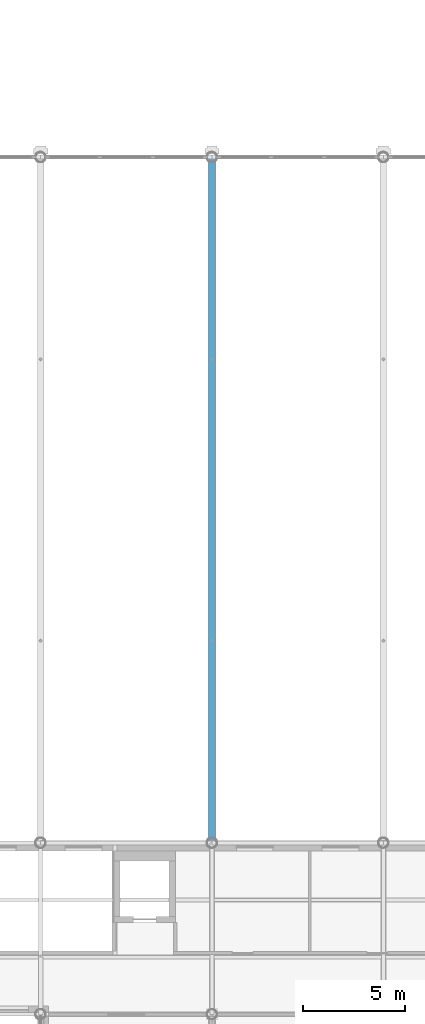
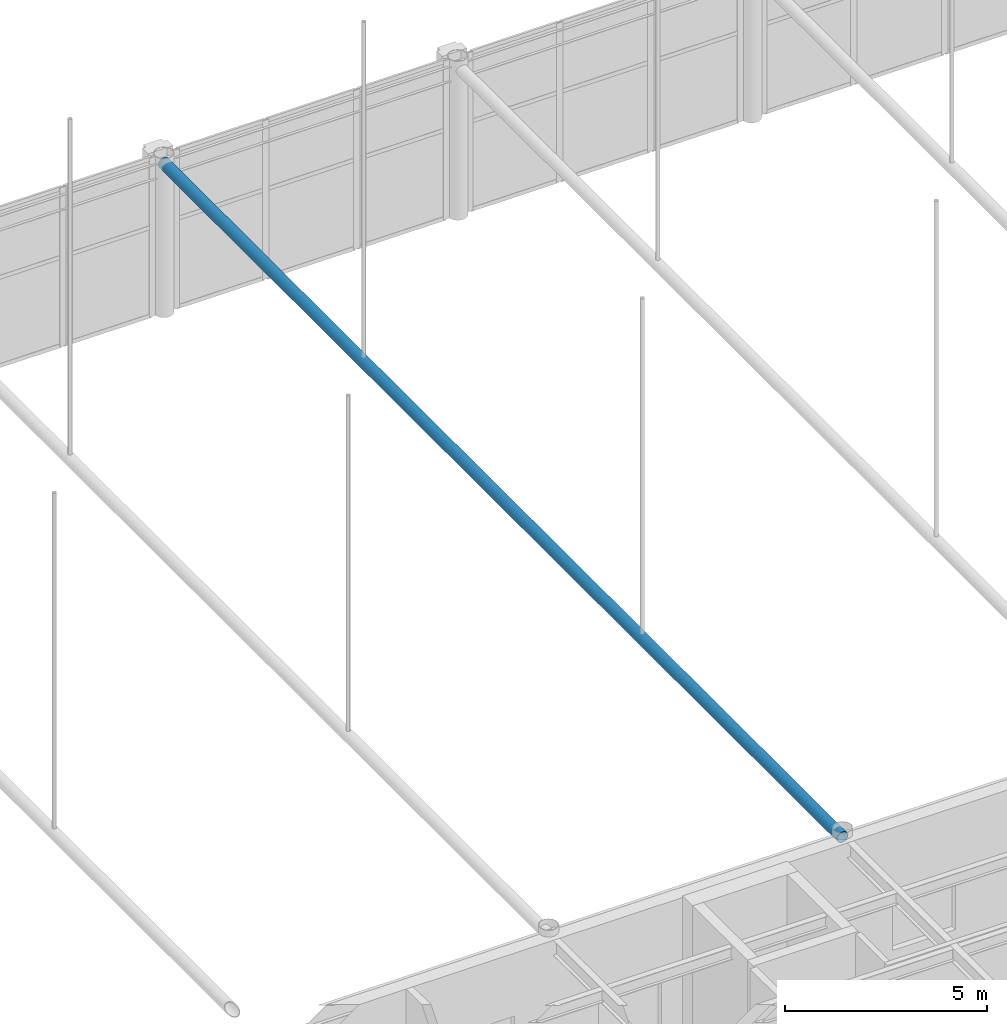
# One storey, part 81 of 167: 1 beam.
"""IFC4 building model written with IfcOpenShell, lengths in metres."""

from ifc_helpers import new_model, si_unit, direction, frame, origin, origin_2d, place, context, subcontext, project, spatial, hollow_circle, extrude, material, material_profile, profile_set, type_object, element, save


model = new_model("IFC4")

# Units and contexts
model_context = context("Model", 3, precision=1e-05, world=origin(), true_north=direction((0.0, 1.0)))
body_context = subcontext(model_context, "Body", "Model", "MODEL_VIEW")
ifc_project = project(units=[si_unit("LENGTHUNIT", "METRE"), si_unit("AREAUNIT", "SQUARE_METRE"), si_unit("VOLUMEUNIT", "CUBIC_METRE"), si_unit("PLANEANGLEUNIT", "RADIAN"), si_unit("MASSUNIT", "GRAM", prefix="KILO")], contexts=[model_context])

# Site, building, storey
site_placement = place(None, origin())
site = spatial("IfcSite", under=ifc_project, at=site_placement, CompositionType="ELEMENT")
building_placement = place(site_placement, origin())
building = spatial("IfcBuilding", under=site, at=building_placement, Name="Catenary Quay Ferry Terminal", CompositionType="ELEMENT")
storey_placement = place(building_placement, frame((0.0, 0.0, 6.0)))
storey = spatial("IfcBuildingStorey", under=building, at=storey_placement, Name="L01", CompositionType="ELEMENT", Elevation=6.0)

# Beam
ifc_material = material(Name="Steel S355", Category="steel")
ifc_material_profile = material_profile(ifc_material, hollow_circle(Radius=0.161865234375, WallThickness=0.01611328125, at=origin_2d()), Name="CHS 323.9x16")
ifc_profile_set = profile_set([ifc_material_profile], Name="Steel S355")
beam_type = type_object("IfcBeamType", Name="TB3 CHS 323.9x16", PredefinedType="BEAM", material=ifc_profile_set)
beam_placement = place(storey_placement, frame((67.199951171875, 109.199951171875, 4.5), z_axis=(0.0, 1.0, 0.0), x_axis=(-1.0, 0.0, 0.0)))
element("IfcBeam", 1, at=beam_placement, inside=storey, type_object=beam_type, Name="Vault tie beam VD-06", PredefinedType="BEAM", context=body_context, shape_type="SweptSolid", body=[
    extrude(hollow_circle(Radius=0.161865234375, WallThickness=0.01611328125, at=origin_2d()), origin(), (0.0, 0.0, 1.0), 33.60009765625),
])

save(model, "model.ifc")
